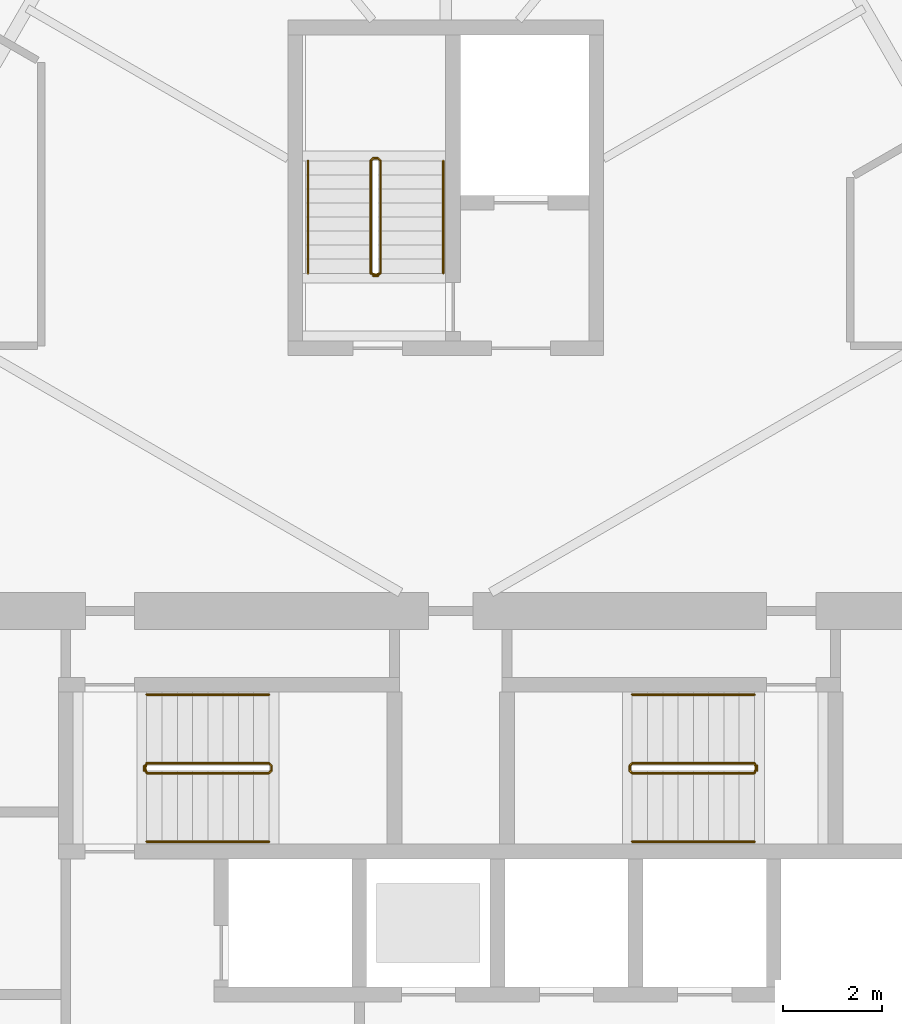
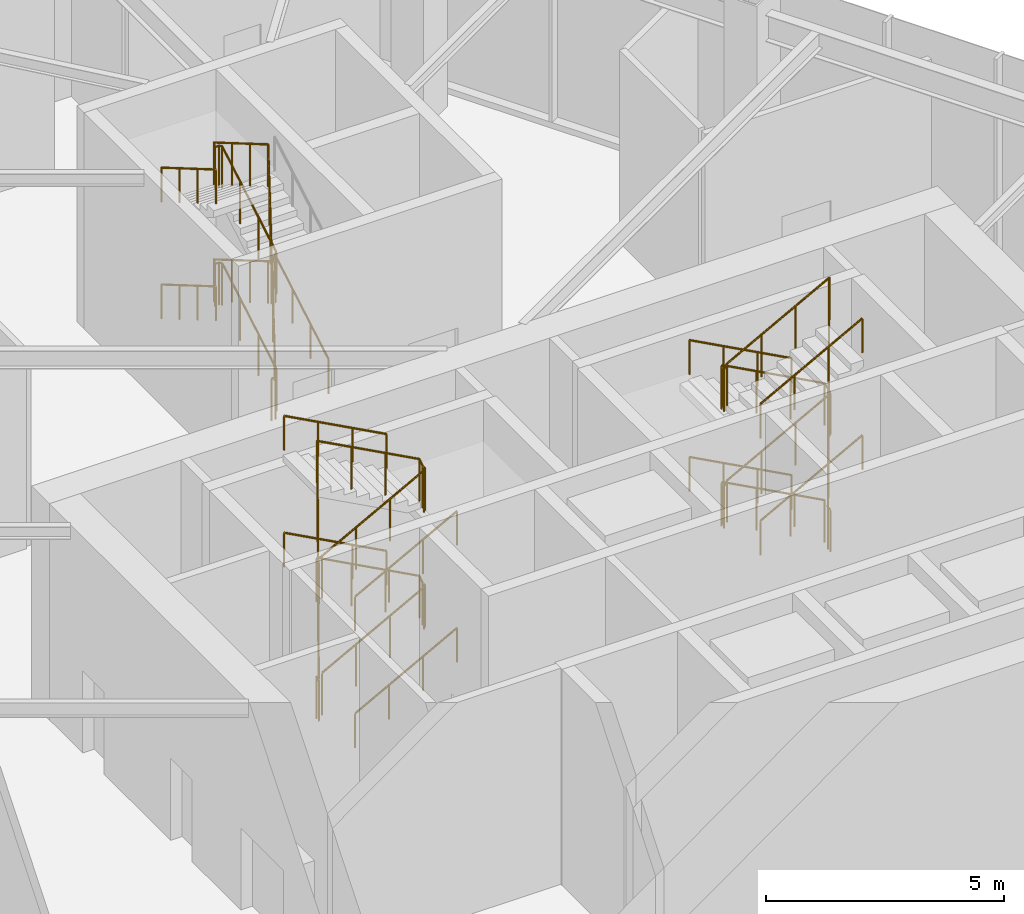
# One storey, part 14 of 16: 14 railings.
"""IFC4 building model written with IfcOpenShell, lengths in metres."""

from ifc_helpers import new_model, si_unit, direction, frame, origin, origin_2d, place, context, subcontext, project, spatial, circle, extrude, material, type_object, element, save


model = new_model("IFC4")

# Units and contexts
model_context = context("Model", 3, precision=1e-05, world=origin(), true_north=direction((0.0, 1.0)))
body_context = subcontext(model_context, "Body", "Model", "MODEL_VIEW")
ifc_project = project(units=[si_unit("LENGTHUNIT", "METRE"), si_unit("AREAUNIT", "SQUARE_METRE"), si_unit("VOLUMEUNIT", "CUBIC_METRE"), si_unit("PLANEANGLEUNIT", "RADIAN"), si_unit("MASSUNIT", "GRAM", prefix="KILO")], contexts=[model_context])

# Site, building, storey
site_placement = place(None, origin())
site = spatial("IfcSite", under=ifc_project, at=site_placement, CompositionType="ELEMENT")
building_placement = place(site_placement, origin())
building = spatial("IfcBuilding", under=site, at=building_placement, Name="Firuza Gate Tower and Library", CompositionType="ELEMENT")
storey_placement = place(building_placement, frame((0.0, 0.0, 241.60009765625)))
storey = spatial("IfcBuildingStorey", under=building, at=storey_placement, Name="L57", CompositionType="ELEMENT", Elevation=241.60009765625)

# Railings
ifc_material_1 = material(Name="Steel S355", Category="steel")
railing_type_1 = type_object("IfcRailingType", Name="Stair guard 1100", PredefinedType="GUARDRAIL", material=ifc_material_1)
railing_1_placement = place(storey_placement, frame((68.93994140625, 79.340087890625, 0.16650390625)))
element("IfcRailing", 1, at=railing_1_placement, inside=storey, type_object=railing_type_1, Name="L57 ST1 stair guard 1", PredefinedType="GUARDRAIL", context=body_context, shape_type="SweptSolid", body=[
    extrude(circle(Radius=0.02392578125, at=origin_2d()), frame((0.0, 0.0, 1.076171875), z_axis=(0.880749358647, 0.0, 0.473582693141), x_axis=(0.0, 1.0, 0.0)), (0.0, 0.0, 1.0), 2.815673828125),
    extrude(circle(Radius=0.02392578125, at=origin_2d()), frame((2.47998046875, 0.0, 2.40966796875), z_axis=(0.708833529934, 0.705375805398, 0.0), x_axis=(-0.705375805398, 0.708833529934, 0.0)), (0.0, 0.0, 1.0), 0.070556640625),
    extrude(circle(Radius=0.02392578125, at=origin_2d()), frame((2.530029296875, 0.0498046875, 2.40966796875), z_axis=(0.0, 1.0, 0.0), x_axis=(-1.0, 0.0, 0.0)), (0.0, 0.0, 1.0), 0.10009765625),
    extrude(circle(Radius=0.02392578125, at=origin_2d()), frame((2.530029296875, 0.14990234375, 2.40966796875), z_axis=(-0.27662974545, 0.27662974545, 0.920299933644), x_axis=(-0.707106781187, -0.707106781187, 0.0)), (0.0, 0.0, 1.0), 0.180908203125),
    extrude(circle(Radius=0.02392578125, at=origin_2d()), frame((2.47998046875, 0.199951171875, 2.576171875), z_axis=(-0.880749358647, 0.0, 0.473582693141), x_axis=(0.0, -1.0, 0.0)), (0.0, 0.0, 1.0), 2.815673828125),
    extrude(circle(Radius=0.02392578125, at=origin_2d()), frame((0.0, 0.199951171875, 3.90966796875), z_axis=(-0.316227766017, -0.948683298051, 0.0), x_axis=(0.948683298051, -0.316227766017, 0.0)), (0.0, 0.0, 1.0), 0.158203125),
    extrude(circle(Radius=0.02392578125, at=origin_2d()), frame((-0.050048828125, 0.0498046875, 3.90966796875), z_axis=(0.0, 1.0, 0.0), x_axis=(-1.0, 0.0, 0.0)), (0.0, 0.0, 1.0), 0.10009765625),
    extrude(circle(Radius=0.02392578125, at=origin_2d()), frame((-0.050048828125, 0.14990234375, 3.90966796875), z_axis=(0.218017880586, -0.652990139901, 0.725308266144), x_axis=(0.948528701346, 0.316691178788, 0.0)), (0.0, 0.0, 1.0), 0.2294921875),
    extrude(circle(Radius=0.02392578125, at=origin_2d()), frame((0.0, 0.0, 4.076171875), z_axis=(0.880749358647, 0.0, 0.473582693141), x_axis=(0.0, 1.0, 0.0)), (0.0, 0.0, 1.0), 2.815673828125),
    extrude(circle(Radius=0.02392578125, at=origin_2d()), frame((2.47998046875, 0.0, 5.40966796875), z_axis=(0.708833529934, 0.705375805398, 0.0), x_axis=(-0.705375805398, 0.708833529934, 0.0)), (0.0, 0.0, 1.0), 0.070556640625),
    extrude(circle(Radius=0.02392578125, at=origin_2d()), frame((2.530029296875, 0.0498046875, 5.40966796875), z_axis=(0.0, 1.0, 0.0), x_axis=(-1.0, 0.0, 0.0)), (0.0, 0.0, 1.0), 0.10009765625),
    extrude(circle(Radius=0.02392578125, at=origin_2d()), frame((2.530029296875, 0.14990234375, 5.40966796875), z_axis=(-0.27662974545, 0.27662974545, 0.920299933644), x_axis=(-0.707106781187, -0.707106781187, 0.0)), (0.0, 0.0, 1.0), 0.180908203125),
    extrude(circle(Radius=0.02392578125, at=origin_2d()), frame((2.47998046875, 0.199951171875, 5.576171875), z_axis=(-0.880749358647, 0.0, 0.473582693141), x_axis=(0.0, -1.0, 0.0)), (0.0, 0.0, 1.0), 2.815673828125),
    extrude(circle(Radius=0.02392578125, at=origin_2d()), frame((0.0, 0.199951171875, 6.90966796875), z_axis=(-0.008338570864, -0.025015712591, -0.999652280725), x_axis=(0.948683298051, -0.316227766017, 0.0)), (0.0, 0.0, 1.0), 6.002197265625),
    extrude(circle(Radius=0.02392578125, at=origin_2d()), frame((-0.050048828125, 0.0498046875, 0.90966796875), z_axis=(0.0, 1.0, 0.0), x_axis=(-1.0, 0.0, 0.0)), (0.0, 0.0, 1.0), 0.10009765625),
    extrude(circle(Radius=0.02099609375, at=origin_2d()), origin(), (0.0, 0.0, 1.0), 1.052001953125),
    extrude(circle(Radius=0.02099609375, at=origin_2d()), frame((0.82666015625, 0.0, 0.444580078125)), (0.0, 0.0, 1.0), 1.052001953125),
    extrude(circle(Radius=0.02099609375, at=origin_2d()), frame((1.6533203125, 0.0, 0.888916015625)), (0.0, 0.0, 1.0), 1.052001953125),
    extrude(circle(Radius=0.02099609375, at=origin_2d()), frame((2.47998046875, 0.0, 1.33349609375)), (0.0, 0.0, 1.0), 1.052001953125),
    extrude(circle(Radius=0.02099609375, at=origin_2d()), frame((2.530029296875, 0.0498046875, 1.33349609375)), (0.0, 0.0, 1.0), 1.052001953125),
    extrude(circle(Radius=0.02099609375, at=origin_2d()), frame((2.530029296875, 0.14990234375, 1.33349609375)), (0.0, 0.0, 1.0), 1.052001953125),
    extrude(circle(Radius=0.02099609375, at=origin_2d()), frame((2.47998046875, 0.199951171875, 1.5)), (0.0, 0.0, 1.0), 1.052001953125),
    extrude(circle(Radius=0.02099609375, at=origin_2d()), frame((1.6533203125, 0.199951171875, 1.944580078125)), (0.0, 0.0, 1.0), 1.052001953125),
    extrude(circle(Radius=0.02099609375, at=origin_2d()), frame((0.82666015625, 0.199951171875, 2.388916015625)), (0.0, 0.0, 1.0), 1.052001953125),
    extrude(circle(Radius=0.02099609375, at=origin_2d()), frame((0.0, 0.199951171875, 2.83349609375)), (0.0, 0.0, 1.0), 1.052001953125),
    extrude(circle(Radius=0.02099609375, at=origin_2d()), frame((-0.050048828125, 0.0498046875, 2.83349609375)), (0.0, 0.0, 1.0), 1.052001953125),
    extrude(circle(Radius=0.02099609375, at=origin_2d()), frame((-0.050048828125, 0.14990234375, 2.83349609375)), (0.0, 0.0, 1.0), 1.052001953125),
    extrude(circle(Radius=0.02099609375, at=origin_2d()), frame((0.0, 0.0, 3.0)), (0.0, 0.0, 1.0), 1.052001953125),
    extrude(circle(Radius=0.02099609375, at=origin_2d()), frame((0.82666015625, 0.0, 3.444580078125)), (0.0, 0.0, 1.0), 1.052001953125),
    extrude(circle(Radius=0.02099609375, at=origin_2d()), frame((1.6533203125, 0.0, 3.888916015625)), (0.0, 0.0, 1.0), 1.052001953125),
    extrude(circle(Radius=0.02099609375, at=origin_2d()), frame((2.47998046875, 0.0, 4.33349609375)), (0.0, 0.0, 1.0), 1.052001953125),
    extrude(circle(Radius=0.02099609375, at=origin_2d()), frame((2.530029296875, 0.0498046875, 4.33349609375)), (0.0, 0.0, 1.0), 1.052001953125),
    extrude(circle(Radius=0.02099609375, at=origin_2d()), frame((2.530029296875, 0.14990234375, 4.33349609375)), (0.0, 0.0, 1.0), 1.052001953125),
    extrude(circle(Radius=0.02099609375, at=origin_2d()), frame((2.47998046875, 0.199951171875, 4.5)), (0.0, 0.0, 1.0), 1.052001953125),
    extrude(circle(Radius=0.02099609375, at=origin_2d()), frame((1.6533203125, 0.199951171875, 4.944580078125)), (0.0, 0.0, 1.0), 1.052001953125),
    extrude(circle(Radius=0.02099609375, at=origin_2d()), frame((0.82666015625, 0.199951171875, 5.388916015625)), (0.0, 0.0, 1.0), 1.052001953125),
    extrude(circle(Radius=0.02099609375, at=origin_2d()), frame((0.0, 0.199951171875, 5.83349609375)), (0.0, 0.0, 1.0), 1.052001953125),
    extrude(circle(Radius=0.02099609375, at=origin_2d()), frame((-0.00830078125, 0.1748046875, 4.83349609375)), (0.0, 0.0, 1.0), 1.052001953125),
    extrude(circle(Radius=0.02099609375, at=origin_2d()), frame((-0.0166015625, 0.14990234375, 3.83349609375)), (0.0, 0.0, 1.0), 1.052001953125),
    extrude(circle(Radius=0.02099609375, at=origin_2d()), frame((-0.02490234375, 0.125, 2.83349609375)), (0.0, 0.0, 1.0), 1.052001953125),
    extrude(circle(Radius=0.02099609375, at=origin_2d()), frame((-0.033447265625, 0.099853515625, 1.83349609375)), (0.0, 0.0, 1.0), 1.052001953125),
    extrude(circle(Radius=0.02099609375, at=origin_2d()), frame((-0.041748046875, 0.07470703125, 0.83349609375)), (0.0, 0.0, 1.0), 1.052001953125),
    extrude(circle(Radius=0.02099609375, at=origin_2d()), frame((-0.050048828125, 0.0498046875, -0.16650390625)), (0.0, 0.0, 1.0), 1.052001953125),
    extrude(circle(Radius=0.02099609375, at=origin_2d()), frame((-0.050048828125, 0.14990234375, -0.16650390625)), (0.0, 0.0, 1.0), 1.052001953125),
])
railing_2_placement = place(storey_placement, frame((81.260009765625, 79.5400390625, 0.16650390625)))
element("IfcRailing", 2, at=railing_2_placement, inside=storey, type_object=railing_type_1, Name="L57 ST2 stair guard 1", PredefinedType="GUARDRAIL", context=body_context, shape_type="SweptSolid", body=[
    extrude(circle(Radius=0.02392578125, at=origin_2d()), frame((0.0, 0.0, 1.076171875), z_axis=(-0.880749358647, 0.0, 0.473582693141), x_axis=(0.0, -1.0, 0.0)), (0.0, 0.0, 1.0), 2.815673828125),
    extrude(circle(Radius=0.02392578125, at=origin_2d()), frame((-2.47998046875, 0.0, 2.40966796875), z_axis=(-0.707106781187, -0.707106781187, 0.0), x_axis=(0.707106781187, -0.707106781187, 0.0)), (0.0, 0.0, 1.0), 0.07080078125),
    extrude(circle(Radius=0.02392578125, at=origin_2d()), frame((-2.530029296875, -0.050048828125, 2.40966796875), z_axis=(0.0, -1.0, 0.0), x_axis=(1.0, 0.0, 0.0)), (0.0, 0.0, 1.0), 0.10009765625),
    extrude(circle(Radius=0.02392578125, at=origin_2d()), frame((-2.530029296875, -0.150146484375, 2.40966796875), z_axis=(0.276732813696, -0.275382897532, 0.920642824102), x_axis=(0.705375805398, 0.708833529934, 0.0)), (0.0, 0.0, 1.0), 0.180908203125),
    extrude(circle(Radius=0.02392578125, at=origin_2d()), frame((-2.47998046875, -0.199951171875, 2.576171875), z_axis=(0.880749358647, 0.0, 0.473582693141), x_axis=(0.0, 1.0, 0.0)), (0.0, 0.0, 1.0), 2.815673828125),
    extrude(circle(Radius=0.02392578125, at=origin_2d()), frame((0.0, -0.199951171875, 3.90966796875), z_axis=(0.316691178788, 0.948528701346, 0.0), x_axis=(-0.948528701346, 0.316691178788, 0.0)), (0.0, 0.0, 1.0), 0.157958984375),
    extrude(circle(Radius=0.02392578125, at=origin_2d()), frame((0.050048828125, -0.050048828125, 3.90966796875), z_axis=(0.0, -1.0, 0.0), x_axis=(1.0, 0.0, 0.0)), (0.0, 0.0, 1.0), 0.10009765625),
    extrude(circle(Radius=0.02392578125, at=origin_2d()), frame((0.050048828125, -0.150146484375, 3.90966796875), z_axis=(-0.217866511207, 0.653599533622, 0.724804686066), x_axis=(-0.948683298051, -0.316227766017, 0.0)), (0.0, 0.0, 1.0), 0.229736328125),
    extrude(circle(Radius=0.02392578125, at=origin_2d()), frame((0.0, 0.0, 4.076171875), z_axis=(-0.880749358647, 0.0, 0.473582693141), x_axis=(0.0, -1.0, 0.0)), (0.0, 0.0, 1.0), 2.815673828125),
    extrude(circle(Radius=0.02392578125, at=origin_2d()), frame((-2.47998046875, 0.0, 5.40966796875), z_axis=(-0.707106781187, -0.707106781187, 0.0), x_axis=(0.707106781187, -0.707106781187, 0.0)), (0.0, 0.0, 1.0), 0.07080078125),
    extrude(circle(Radius=0.02392578125, at=origin_2d()), frame((-2.530029296875, -0.050048828125, 5.40966796875), z_axis=(0.0, -1.0, 0.0), x_axis=(1.0, 0.0, 0.0)), (0.0, 0.0, 1.0), 0.10009765625),
    extrude(circle(Radius=0.02392578125, at=origin_2d()), frame((-2.530029296875, -0.150146484375, 5.40966796875), z_axis=(0.276732813696, -0.275382897532, 0.920642824102), x_axis=(0.705375805398, 0.708833529934, 0.0)), (0.0, 0.0, 1.0), 0.180908203125),
    extrude(circle(Radius=0.02392578125, at=origin_2d()), frame((-2.47998046875, -0.199951171875, 5.576171875), z_axis=(0.880749358647, 0.0, 0.473582693141), x_axis=(0.0, 1.0, 0.0)), (0.0, 0.0, 1.0), 2.815673828125),
    extrude(circle(Radius=0.02392578125, at=origin_2d()), frame((0.0, -0.199951171875, 6.90966796875), z_axis=(0.008338579342, 0.024975062028, -0.999653297084), x_axis=(-0.948528701346, 0.316691178788, 0.0)), (0.0, 0.0, 1.0), 6.002197265625),
    extrude(circle(Radius=0.02392578125, at=origin_2d()), frame((0.050048828125, -0.050048828125, 0.90966796875), z_axis=(0.0, -1.0, 0.0), x_axis=(1.0, 0.0, 0.0)), (0.0, 0.0, 1.0), 0.10009765625),
    extrude(circle(Radius=0.02099609375, at=origin_2d()), origin(), (0.0, 0.0, 1.0), 1.052001953125),
    extrude(circle(Radius=0.02099609375, at=origin_2d()), frame((-0.82666015625, 0.0, 0.444580078125)), (0.0, 0.0, 1.0), 1.052001953125),
    extrude(circle(Radius=0.02099609375, at=origin_2d()), frame((-1.6533203125, 0.0, 0.888916015625)), (0.0, 0.0, 1.0), 1.052001953125),
    extrude(circle(Radius=0.02099609375, at=origin_2d()), frame((-2.47998046875, 0.0, 1.33349609375)), (0.0, 0.0, 1.0), 1.052001953125),
    extrude(circle(Radius=0.02099609375, at=origin_2d()), frame((-2.530029296875, -0.050048828125, 1.33349609375)), (0.0, 0.0, 1.0), 1.052001953125),
    extrude(circle(Radius=0.02099609375, at=origin_2d()), frame((-2.530029296875, -0.150146484375, 1.33349609375)), (0.0, 0.0, 1.0), 1.052001953125),
    extrude(circle(Radius=0.02099609375, at=origin_2d()), frame((-2.47998046875, -0.199951171875, 1.5)), (0.0, 0.0, 1.0), 1.052001953125),
    extrude(circle(Radius=0.02099609375, at=origin_2d()), frame((-1.6533203125, -0.199951171875, 1.944580078125)), (0.0, 0.0, 1.0), 1.052001953125),
    extrude(circle(Radius=0.02099609375, at=origin_2d()), frame((-0.82666015625, -0.199951171875, 2.388916015625)), (0.0, 0.0, 1.0), 1.052001953125),
    extrude(circle(Radius=0.02099609375, at=origin_2d()), frame((0.0, -0.199951171875, 2.83349609375)), (0.0, 0.0, 1.0), 1.052001953125),
    extrude(circle(Radius=0.02099609375, at=origin_2d()), frame((0.050048828125, -0.050048828125, 2.83349609375)), (0.0, 0.0, 1.0), 1.052001953125),
    extrude(circle(Radius=0.02099609375, at=origin_2d()), frame((0.050048828125, -0.150146484375, 2.83349609375)), (0.0, 0.0, 1.0), 1.052001953125),
    extrude(circle(Radius=0.02099609375, at=origin_2d()), frame((0.0, 0.0, 3.0)), (0.0, 0.0, 1.0), 1.052001953125),
    extrude(circle(Radius=0.02099609375, at=origin_2d()), frame((-0.82666015625, 0.0, 3.444580078125)), (0.0, 0.0, 1.0), 1.052001953125),
    extrude(circle(Radius=0.02099609375, at=origin_2d()), frame((-1.6533203125, 0.0, 3.888916015625)), (0.0, 0.0, 1.0), 1.052001953125),
    extrude(circle(Radius=0.02099609375, at=origin_2d()), frame((-2.47998046875, 0.0, 4.33349609375)), (0.0, 0.0, 1.0), 1.052001953125),
    extrude(circle(Radius=0.02099609375, at=origin_2d()), frame((-2.530029296875, -0.050048828125, 4.33349609375)), (0.0, 0.0, 1.0), 1.052001953125),
    extrude(circle(Radius=0.02099609375, at=origin_2d()), frame((-2.530029296875, -0.150146484375, 4.33349609375)), (0.0, 0.0, 1.0), 1.052001953125),
    extrude(circle(Radius=0.02099609375, at=origin_2d()), frame((-2.47998046875, -0.199951171875, 4.5)), (0.0, 0.0, 1.0), 1.052001953125),
    extrude(circle(Radius=0.02099609375, at=origin_2d()), frame((-1.6533203125, -0.199951171875, 4.944580078125)), (0.0, 0.0, 1.0), 1.052001953125),
    extrude(circle(Radius=0.02099609375, at=origin_2d()), frame((-0.82666015625, -0.199951171875, 5.388916015625)), (0.0, 0.0, 1.0), 1.052001953125),
    extrude(circle(Radius=0.02099609375, at=origin_2d()), frame((0.0, -0.199951171875, 5.83349609375)), (0.0, 0.0, 1.0), 1.052001953125),
    extrude(circle(Radius=0.02099609375, at=origin_2d()), frame((0.00830078125, -0.175048828125, 4.83349609375)), (0.0, 0.0, 1.0), 1.052001953125),
    extrude(circle(Radius=0.02099609375, at=origin_2d()), frame((0.0166015625, -0.14990234375, 3.83349609375)), (0.0, 0.0, 1.0), 1.052001953125),
    extrude(circle(Radius=0.02099609375, at=origin_2d()), frame((0.02490234375, -0.125, 2.83349609375)), (0.0, 0.0, 1.0), 1.052001953125),
    extrude(circle(Radius=0.02099609375, at=origin_2d()), frame((0.033447265625, -0.10009765625, 1.83349609375)), (0.0, 0.0, 1.0), 1.052001953125),
    extrude(circle(Radius=0.02099609375, at=origin_2d()), frame((0.041748046875, -0.074951171875, 0.83349609375)), (0.0, 0.0, 1.0), 1.052001953125),
    extrude(circle(Radius=0.02099609375, at=origin_2d()), frame((0.050048828125, -0.050048828125, -0.16650390625)), (0.0, 0.0, 1.0), 1.052001953125),
    extrude(circle(Radius=0.02099609375, at=origin_2d()), frame((0.050048828125, -0.150146484375, -0.16650390625)), (0.0, 0.0, 1.0), 1.052001953125),
])
railing_3_placement = place(storey_placement, frame((73.679931640625, 89.469970703125, 0.16650390625)))
element("IfcRailing", 3, at=railing_3_placement, inside=storey, type_object=railing_type_1, Name="L57 ST3 stair guard 1", PredefinedType="GUARDRAIL", context=body_context, shape_type="SweptSolid", body=[
    extrude(circle(Radius=0.02392578125, at=origin_2d()), frame((0.0, 0.0, 1.076171875), z_axis=(0.0, 0.863205083432, 0.504853428173), x_axis=(-1.0, 0.0, 0.0)), (0.0, 0.0, 1.0), 2.641357421875),
    extrude(circle(Radius=0.02392578125, at=origin_2d()), frame((0.0, 2.280029296875, 2.40966796875), z_axis=(-0.707106781187, 0.707106781187, 0.0), x_axis=(-0.707106781187, -0.707106781187, 0.0)), (0.0, 0.0, 1.0), 0.07080078125),
    extrude(circle(Radius=0.02392578125, at=origin_2d()), frame((-0.050048828125, 2.330078125, 2.40966796875), z_axis=(-1.0, 0.0, 0.0), x_axis=(0.0, -1.0, 0.0)), (0.0, 0.0, 1.0), 0.099853515625),
    extrude(circle(Radius=0.02392578125, at=origin_2d()), frame((-0.14990234375, 2.330078125, 2.40966796875), z_axis=(-0.27662974545, -0.27662974545, 0.920299933644), x_axis=(0.707106781187, -0.707106781187, 0.0)), (0.0, 0.0, 1.0), 0.180908203125),
    extrude(circle(Radius=0.02392578125, at=origin_2d()), frame((-0.199951171875, 2.280029296875, 2.576171875), z_axis=(0.0, -0.863205083432, 0.504853428173), x_axis=(1.0, 0.0, 0.0)), (0.0, 0.0, 1.0), 2.641357421875),
    extrude(circle(Radius=0.02392578125, at=origin_2d()), frame((-0.199951171875, 0.0, 3.90966796875), z_axis=(0.948528701346, -0.316691178788, 0.0), x_axis=(0.316691178788, 0.948528701346, 0.0)), (0.0, 0.0, 1.0), 0.157958984375),
    extrude(circle(Radius=0.02392578125, at=origin_2d()), frame((-0.050048828125, -0.050048828125, 3.90966796875), z_axis=(-1.0, 0.0, 0.0), x_axis=(0.0, -1.0, 0.0)), (0.0, 0.0, 1.0), 0.099853515625),
    extrude(circle(Radius=0.02392578125, at=origin_2d()), frame((-0.14990234375, -0.050048828125, 3.90966796875), z_axis=(0.652990139901, 0.218017880586, 0.725308266144), x_axis=(-0.316691178788, 0.948528701346, 0.0)), (0.0, 0.0, 1.0), 0.2294921875),
    extrude(circle(Radius=0.02392578125, at=origin_2d()), frame((0.0, 0.0, 4.076171875), z_axis=(0.0, 0.863205083432, 0.504853428173), x_axis=(-1.0, 0.0, 0.0)), (0.0, 0.0, 1.0), 2.641357421875),
    extrude(circle(Radius=0.02392578125, at=origin_2d()), frame((0.0, 2.280029296875, 5.40966796875), z_axis=(-0.707106781187, 0.707106781187, 0.0), x_axis=(-0.707106781187, -0.707106781187, 0.0)), (0.0, 0.0, 1.0), 0.07080078125),
    extrude(circle(Radius=0.02392578125, at=origin_2d()), frame((-0.050048828125, 2.330078125, 5.40966796875), z_axis=(-1.0, 0.0, 0.0), x_axis=(0.0, -1.0, 0.0)), (0.0, 0.0, 1.0), 0.099853515625),
    extrude(circle(Radius=0.02392578125, at=origin_2d()), frame((-0.14990234375, 2.330078125, 5.40966796875), z_axis=(-0.27662974545, -0.27662974545, 0.920299933644), x_axis=(0.707106781187, -0.707106781187, 0.0)), (0.0, 0.0, 1.0), 0.180908203125),
    extrude(circle(Radius=0.02392578125, at=origin_2d()), frame((-0.199951171875, 2.280029296875, 5.576171875), z_axis=(0.0, -0.863205083432, 0.504853428173), x_axis=(1.0, 0.0, 0.0)), (0.0, 0.0, 1.0), 2.641357421875),
    extrude(circle(Radius=0.02392578125, at=origin_2d()), frame((-0.199951171875, 0.0, 6.90966796875), z_axis=(0.024975062028, -0.008338579342, -0.999653297084), x_axis=(0.316691178788, 0.948528701346, 0.0)), (0.0, 0.0, 1.0), 6.002197265625),
    extrude(circle(Radius=0.02392578125, at=origin_2d()), frame((-0.050048828125, -0.050048828125, 0.90966796875), z_axis=(-1.0, 0.0, 0.0), x_axis=(0.0, -1.0, 0.0)), (0.0, 0.0, 1.0), 0.099853515625),
    extrude(circle(Radius=0.02099609375, at=origin_2d()), origin(), (0.0, 0.0, 1.0), 1.052001953125),
    extrude(circle(Radius=0.02099609375, at=origin_2d()), frame((0.0, 0.760009765625, 0.444580078125)), (0.0, 0.0, 1.0), 1.052001953125),
    extrude(circle(Radius=0.02099609375, at=origin_2d()), frame((0.0, 1.52001953125, 0.888916015625)), (0.0, 0.0, 1.0), 1.052001953125),
    extrude(circle(Radius=0.02099609375, at=origin_2d()), frame((0.0, 2.280029296875, 1.33349609375)), (0.0, 0.0, 1.0), 1.052001953125),
    extrude(circle(Radius=0.02099609375, at=origin_2d()), frame((-0.050048828125, 2.330078125, 1.33349609375)), (0.0, 0.0, 1.0), 1.052001953125),
    extrude(circle(Radius=0.02099609375, at=origin_2d()), frame((-0.14990234375, 2.330078125, 1.33349609375)), (0.0, 0.0, 1.0), 1.052001953125),
    extrude(circle(Radius=0.02099609375, at=origin_2d()), frame((-0.199951171875, 2.280029296875, 1.5)), (0.0, 0.0, 1.0), 1.052001953125),
    extrude(circle(Radius=0.02099609375, at=origin_2d()), frame((-0.199951171875, 1.52001953125, 1.944580078125)), (0.0, 0.0, 1.0), 1.052001953125),
    extrude(circle(Radius=0.02099609375, at=origin_2d()), frame((-0.199951171875, 0.760009765625, 2.388916015625)), (0.0, 0.0, 1.0), 1.052001953125),
    extrude(circle(Radius=0.02099609375, at=origin_2d()), frame((-0.199951171875, 0.0, 2.83349609375)), (0.0, 0.0, 1.0), 1.052001953125),
    extrude(circle(Radius=0.02099609375, at=origin_2d()), frame((-0.050048828125, -0.050048828125, 2.83349609375)), (0.0, 0.0, 1.0), 1.052001953125),
    extrude(circle(Radius=0.02099609375, at=origin_2d()), frame((-0.14990234375, -0.050048828125, 2.83349609375)), (0.0, 0.0, 1.0), 1.052001953125),
    extrude(circle(Radius=0.02099609375, at=origin_2d()), frame((0.0, 0.0, 3.0)), (0.0, 0.0, 1.0), 1.052001953125),
    extrude(circle(Radius=0.02099609375, at=origin_2d()), frame((0.0, 0.760009765625, 3.444580078125)), (0.0, 0.0, 1.0), 1.052001953125),
    extrude(circle(Radius=0.02099609375, at=origin_2d()), frame((0.0, 1.52001953125, 3.888916015625)), (0.0, 0.0, 1.0), 1.052001953125),
    extrude(circle(Radius=0.02099609375, at=origin_2d()), frame((0.0, 2.280029296875, 4.33349609375)), (0.0, 0.0, 1.0), 1.052001953125),
    extrude(circle(Radius=0.02099609375, at=origin_2d()), frame((-0.050048828125, 2.330078125, 4.33349609375)), (0.0, 0.0, 1.0), 1.052001953125),
    extrude(circle(Radius=0.02099609375, at=origin_2d()), frame((-0.14990234375, 2.330078125, 4.33349609375)), (0.0, 0.0, 1.0), 1.052001953125),
    extrude(circle(Radius=0.02099609375, at=origin_2d()), frame((-0.199951171875, 2.280029296875, 4.5)), (0.0, 0.0, 1.0), 1.052001953125),
    extrude(circle(Radius=0.02099609375, at=origin_2d()), frame((-0.199951171875, 1.52001953125, 4.944580078125)), (0.0, 0.0, 1.0), 1.052001953125),
    extrude(circle(Radius=0.02099609375, at=origin_2d()), frame((-0.199951171875, 0.760009765625, 5.388916015625)), (0.0, 0.0, 1.0), 1.052001953125),
    extrude(circle(Radius=0.02099609375, at=origin_2d()), frame((-0.199951171875, 0.0, 5.83349609375)), (0.0, 0.0, 1.0), 1.052001953125),
    extrude(circle(Radius=0.02099609375, at=origin_2d()), frame((-0.175048828125, -0.00830078125, 4.83349609375)), (0.0, 0.0, 1.0), 1.052001953125),
    extrude(circle(Radius=0.02099609375, at=origin_2d()), frame((-0.14990234375, -0.0166015625, 3.83349609375)), (0.0, 0.0, 1.0), 1.052001953125),
    extrude(circle(Radius=0.02099609375, at=origin_2d()), frame((-0.125, -0.02490234375, 2.83349609375)), (0.0, 0.0, 1.0), 1.052001953125),
    extrude(circle(Radius=0.02099609375, at=origin_2d()), frame((-0.10009765625, -0.033447265625, 1.83349609375)), (0.0, 0.0, 1.0), 1.052001953125),
    extrude(circle(Radius=0.02099609375, at=origin_2d()), frame((-0.074951171875, -0.041748046875, 0.83349609375)), (0.0, 0.0, 1.0), 1.052001953125),
    extrude(circle(Radius=0.02099609375, at=origin_2d()), frame((-0.050048828125, -0.050048828125, -0.16650390625)), (0.0, 0.0, 1.0), 1.052001953125),
    extrude(circle(Radius=0.02099609375, at=origin_2d()), frame((-0.14990234375, -0.050048828125, -0.16650390625)), (0.0, 0.0, 1.0), 1.052001953125),
])
ifc_material_2 = material(Name="Steel S355", Category="steel")
railing_type_2 = type_object("IfcRailingType", Name="Stair handrail 900", PredefinedType="HANDRAIL", material=ifc_material_2)
railing_4_placement = place(storey_placement, frame((68.93994140625, 77.949951171875, 0.16650390625)))
element("IfcRailing", 4, at=railing_4_placement, inside=storey, type_object=railing_type_2, Name="L57 ST1 stair handrail 1", PredefinedType="HANDRAIL", context=body_context, shape_type="SweptSolid", body=[
    extrude(circle(Radius=0.02392578125, at=origin_2d()), frame((0.0, 0.0, 0.8759765625), z_axis=(0.880749358647, 0.0, 0.473582693141), x_axis=(0.0, 1.0, 0.0)), (0.0, 0.0, 1.0), 2.815673828125),
    extrude(circle(Radius=0.02099609375, at=origin_2d()), origin(), (0.0, 0.0, 1.0), 0.851806640625),
    extrude(circle(Radius=0.02099609375, at=origin_2d()), frame((0.82666015625, 0.0, 0.444580078125)), (0.0, 0.0, 1.0), 0.851806640625),
    extrude(circle(Radius=0.02099609375, at=origin_2d()), frame((1.6533203125, 0.0, 0.888916015625)), (0.0, 0.0, 1.0), 0.851806640625),
    extrude(circle(Radius=0.02099609375, at=origin_2d()), frame((2.47998046875, 0.0, 1.33349609375)), (0.0, 0.0, 1.0), 0.851806640625),
])
railing_5_placement = place(storey_placement, frame((71.419921875, 80.929931640625, 1.66650390625)))
element("IfcRailing", 5, at=railing_5_placement, inside=storey, type_object=railing_type_2, Name="L57 ST1 stair handrail 2", PredefinedType="HANDRAIL", context=body_context, shape_type="SweptSolid", body=[
    extrude(circle(Radius=0.02392578125, at=origin_2d()), frame((0.0, 0.0, 0.8759765625), z_axis=(-0.880749358647, 0.0, 0.473582693141), x_axis=(0.0, -1.0, 0.0)), (0.0, 0.0, 1.0), 2.815673828125),
    extrude(circle(Radius=0.02099609375, at=origin_2d()), origin(), (0.0, 0.0, 1.0), 0.851806640625),
    extrude(circle(Radius=0.02099609375, at=origin_2d()), frame((-0.82666015625, 0.0, 0.444580078125)), (0.0, 0.0, 1.0), 0.851806640625),
    extrude(circle(Radius=0.02099609375, at=origin_2d()), frame((-1.6533203125, 0.0, 0.888916015625)), (0.0, 0.0, 1.0), 0.851806640625),
    extrude(circle(Radius=0.02099609375, at=origin_2d()), frame((-2.47998046875, 0.0, 1.33349609375)), (0.0, 0.0, 1.0), 0.851806640625),
])
railing_6_placement = place(storey_placement, frame((68.93994140625, 77.949951171875, 3.16650390625)))
element("IfcRailing", 6, at=railing_6_placement, inside=storey, type_object=railing_type_2, Name="L57 ST1 stair handrail 3", PredefinedType="HANDRAIL", context=body_context, shape_type="SweptSolid", body=[
    extrude(circle(Radius=0.02392578125, at=origin_2d()), frame((0.0, 0.0, 0.8759765625), z_axis=(0.880749358647, 0.0, 0.473582693141), x_axis=(0.0, 1.0, 0.0)), (0.0, 0.0, 1.0), 2.815673828125),
    extrude(circle(Radius=0.02099609375, at=origin_2d()), origin(), (0.0, 0.0, 1.0), 0.851806640625),
    extrude(circle(Radius=0.02099609375, at=origin_2d()), frame((0.82666015625, 0.0, 0.444580078125)), (0.0, 0.0, 1.0), 0.851806640625),
    extrude(circle(Radius=0.02099609375, at=origin_2d()), frame((1.6533203125, 0.0, 0.888916015625)), (0.0, 0.0, 1.0), 0.851806640625),
    extrude(circle(Radius=0.02099609375, at=origin_2d()), frame((2.47998046875, 0.0, 1.33349609375)), (0.0, 0.0, 1.0), 0.851806640625),
])
for number, where, name in (
    (7, (71.419921875, 80.929931640625, 4.66650390625), "L57 ST1 stair handrail 4"),
    (8, (81.260009765625, 80.929931640625, 0.16650390625), "L57 ST2 stair handrail 1"),
):
    element("IfcRailing", number, at=place(storey_placement, frame(where)), inside=storey, type_object=railing_type_2, Name=name, PredefinedType="HANDRAIL", context=body_context, shape_type="SweptSolid", body=[
        extrude(circle(Radius=0.02392578125, at=origin_2d()), frame((0.0, 0.0, 0.8759765625), z_axis=(-0.880749358647, 0.0, 0.473582693141), x_axis=(0.0, -1.0, 0.0)), (0.0, 0.0, 1.0), 2.815673828125),
        extrude(circle(Radius=0.02099609375, at=origin_2d()), origin(), (0.0, 0.0, 1.0), 0.851806640625),
        extrude(circle(Radius=0.02099609375, at=origin_2d()), frame((-0.82666015625, 0.0, 0.444580078125)), (0.0, 0.0, 1.0), 0.851806640625),
        extrude(circle(Radius=0.02099609375, at=origin_2d()), frame((-1.6533203125, 0.0, 0.888916015625)), (0.0, 0.0, 1.0), 0.851806640625),
        extrude(circle(Radius=0.02099609375, at=origin_2d()), frame((-2.47998046875, 0.0, 1.33349609375)), (0.0, 0.0, 1.0), 0.851806640625),
    ])
railing_7_placement = place(storey_placement, frame((78.780029296875, 77.949951171875, 1.66650390625)))
element("IfcRailing", 9, at=railing_7_placement, inside=storey, type_object=railing_type_2, Name="L57 ST2 stair handrail 2", PredefinedType="HANDRAIL", context=body_context, shape_type="SweptSolid", body=[
    extrude(circle(Radius=0.02392578125, at=origin_2d()), frame((0.0, 0.0, 0.8759765625), z_axis=(0.880749358647, 0.0, 0.473582693141), x_axis=(0.0, 1.0, 0.0)), (0.0, 0.0, 1.0), 2.815673828125),
    extrude(circle(Radius=0.02099609375, at=origin_2d()), origin(), (0.0, 0.0, 1.0), 0.851806640625),
    extrude(circle(Radius=0.02099609375, at=origin_2d()), frame((0.82666015625, 0.0, 0.444580078125)), (0.0, 0.0, 1.0), 0.851806640625),
    extrude(circle(Radius=0.02099609375, at=origin_2d()), frame((1.6533203125, 0.0, 0.888916015625)), (0.0, 0.0, 1.0), 0.851806640625),
    extrude(circle(Radius=0.02099609375, at=origin_2d()), frame((2.47998046875, 0.0, 1.33349609375)), (0.0, 0.0, 1.0), 0.851806640625),
])
railing_8_placement = place(storey_placement, frame((81.260009765625, 80.929931640625, 3.16650390625)))
element("IfcRailing", 10, at=railing_8_placement, inside=storey, type_object=railing_type_2, Name="L57 ST2 stair handrail 3", PredefinedType="HANDRAIL", context=body_context, shape_type="SweptSolid", body=[
    extrude(circle(Radius=0.02392578125, at=origin_2d()), frame((0.0, 0.0, 0.8759765625), z_axis=(-0.880749358647, 0.0, 0.473582693141), x_axis=(0.0, -1.0, 0.0)), (0.0, 0.0, 1.0), 2.815673828125),
    extrude(circle(Radius=0.02099609375, at=origin_2d()), origin(), (0.0, 0.0, 1.0), 0.851806640625),
    extrude(circle(Radius=0.02099609375, at=origin_2d()), frame((-0.82666015625, 0.0, 0.444580078125)), (0.0, 0.0, 1.0), 0.851806640625),
    extrude(circle(Radius=0.02099609375, at=origin_2d()), frame((-1.6533203125, 0.0, 0.888916015625)), (0.0, 0.0, 1.0), 0.851806640625),
    extrude(circle(Radius=0.02099609375, at=origin_2d()), frame((-2.47998046875, 0.0, 1.33349609375)), (0.0, 0.0, 1.0), 0.851806640625),
])
railing_9_placement = place(storey_placement, frame((78.780029296875, 77.949951171875, 4.66650390625)))
element("IfcRailing", 11, at=railing_9_placement, inside=storey, type_object=railing_type_2, Name="L57 ST2 stair handrail 4", PredefinedType="HANDRAIL", context=body_context, shape_type="SweptSolid", body=[
    extrude(circle(Radius=0.02392578125, at=origin_2d()), frame((0.0, 0.0, 0.8759765625), z_axis=(0.880749358647, 0.0, 0.473582693141), x_axis=(0.0, 1.0, 0.0)), (0.0, 0.0, 1.0), 2.815673828125),
    extrude(circle(Radius=0.02099609375, at=origin_2d()), origin(), (0.0, 0.0, 1.0), 0.851806640625),
    extrude(circle(Radius=0.02099609375, at=origin_2d()), frame((0.82666015625, 0.0, 0.444580078125)), (0.0, 0.0, 1.0), 0.851806640625),
    extrude(circle(Radius=0.02099609375, at=origin_2d()), frame((1.6533203125, 0.0, 0.888916015625)), (0.0, 0.0, 1.0), 0.851806640625),
    extrude(circle(Radius=0.02099609375, at=origin_2d()), frame((2.47998046875, 0.0, 1.33349609375)), (0.0, 0.0, 1.0), 0.851806640625),
])
railing_10_placement = place(storey_placement, frame((74.949951171875, 89.469970703125, 0.16650390625)))
element("IfcRailing", 12, at=railing_10_placement, inside=storey, type_object=railing_type_2, Name="L57 ST3 stair handrail 1", PredefinedType="HANDRAIL", context=body_context, shape_type="SweptSolid", body=[
    extrude(circle(Radius=0.02392578125, at=origin_2d()), frame((0.0, 0.0, 0.8759765625), z_axis=(0.0, 0.863205083432, 0.504853428173), x_axis=(-1.0, 0.0, 0.0)), (0.0, 0.0, 1.0), 2.641357421875),
    extrude(circle(Radius=0.02099609375, at=origin_2d()), origin(), (0.0, 0.0, 1.0), 0.851806640625),
    extrude(circle(Radius=0.02099609375, at=origin_2d()), frame((0.0, 0.760009765625, 0.444580078125)), (0.0, 0.0, 1.0), 0.851806640625),
    extrude(circle(Radius=0.02099609375, at=origin_2d()), frame((0.0, 1.52001953125, 0.888916015625)), (0.0, 0.0, 1.0), 0.851806640625),
    extrude(circle(Radius=0.02099609375, at=origin_2d()), frame((0.0, 2.280029296875, 1.33349609375)), (0.0, 0.0, 1.0), 0.851806640625),
])
for number, where, name in (
    (13, (72.2099609375, 91.75, 1.66650390625), "L57 ST3 stair handrail 2"),
    (14, (72.2099609375, 91.75, 4.66650390625), "L57 ST3 stair handrail 4"),
):
    element("IfcRailing", number, at=place(storey_placement, frame(where)), inside=storey, type_object=railing_type_2, Name=name, PredefinedType="HANDRAIL", context=body_context, shape_type="SweptSolid", body=[
        extrude(circle(Radius=0.02392578125, at=origin_2d()), frame((0.0, 0.0, 0.8759765625), z_axis=(0.0, -0.863205083432, 0.504853428173), x_axis=(1.0, 0.0, 0.0)), (0.0, 0.0, 1.0), 2.641357421875),
        extrude(circle(Radius=0.02099609375, at=origin_2d()), origin(), (0.0, 0.0, 1.0), 0.851806640625),
        extrude(circle(Radius=0.02099609375, at=origin_2d()), frame((0.0, -0.760009765625, 0.444580078125)), (0.0, 0.0, 1.0), 0.851806640625),
        extrude(circle(Radius=0.02099609375, at=origin_2d()), frame((0.0, -1.52001953125, 0.888916015625)), (0.0, 0.0, 1.0), 0.851806640625),
        extrude(circle(Radius=0.02099609375, at=origin_2d()), frame((0.0, -2.280029296875, 1.33349609375)), (0.0, 0.0, 1.0), 0.851806640625),
    ])

save(model, "model.ifc")
